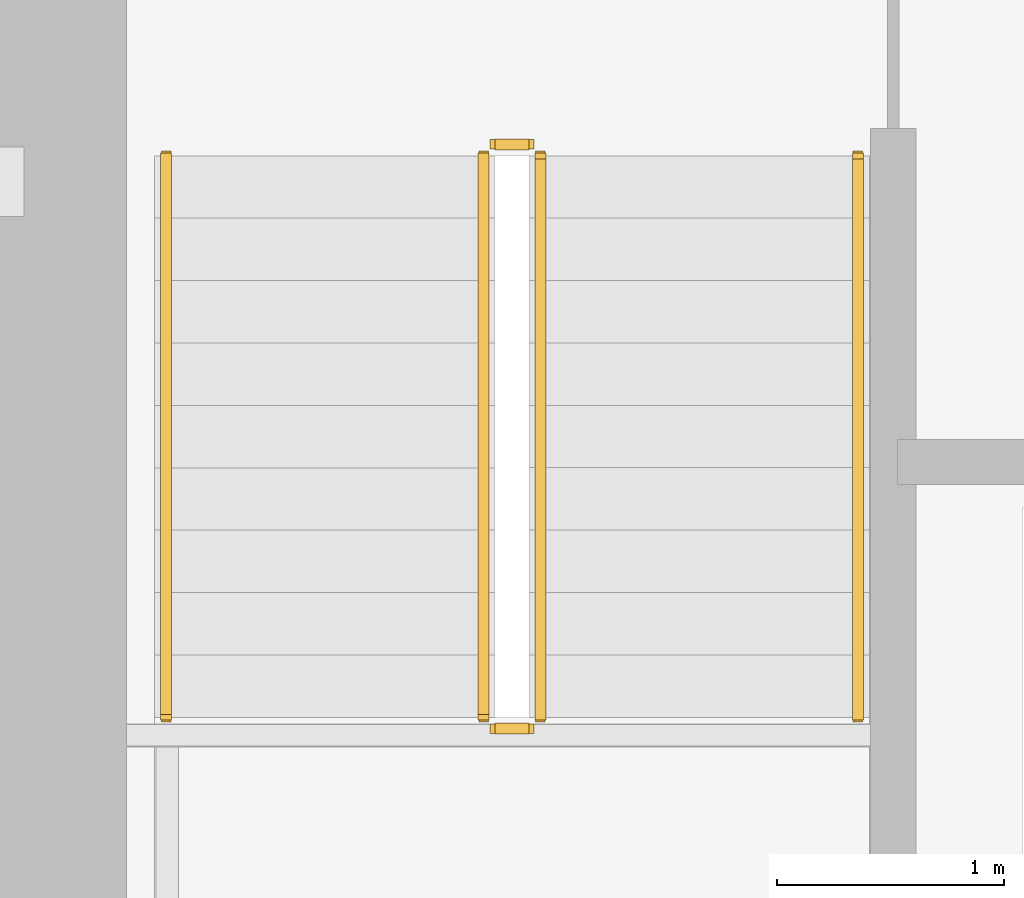
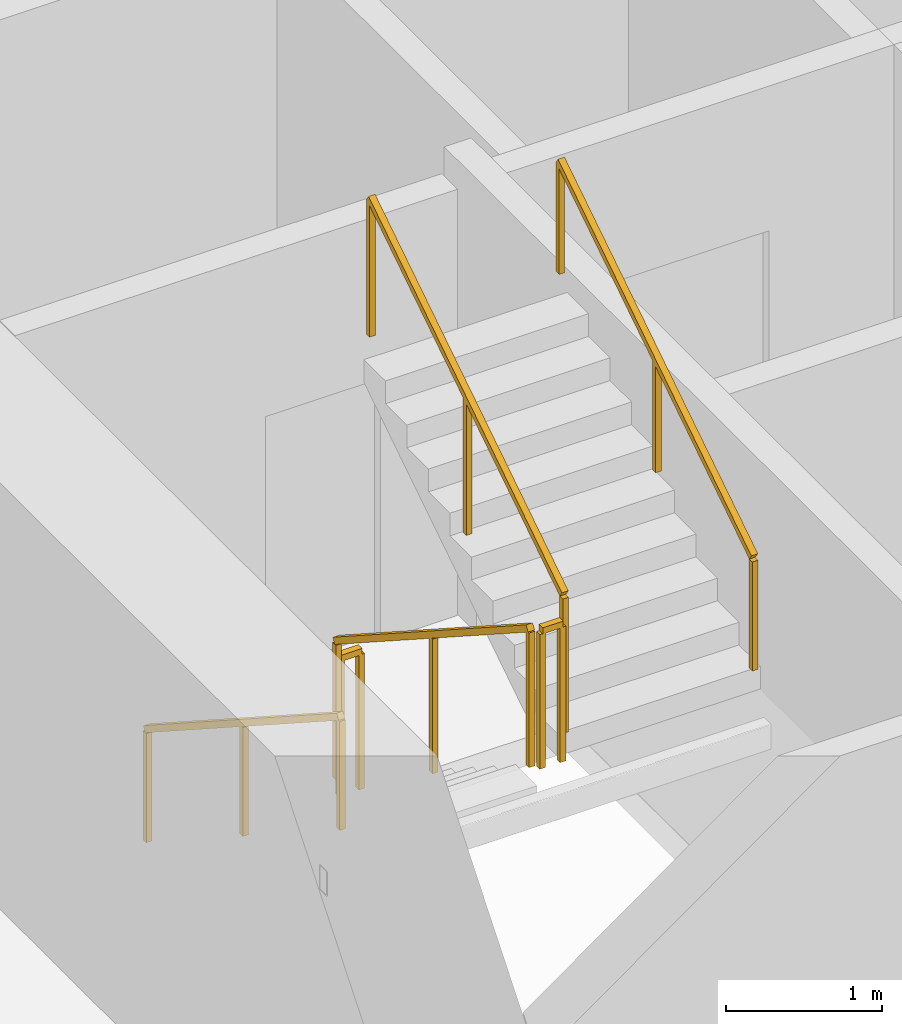
# One storey, part 12 of 14: 6 railings.
"""IFC4 building model written with IfcOpenShell, lengths in metres."""

from ifc_helpers import new_model, si_unit, direction, frame, origin, origin_2d, place, context, subcontext, project, spatial, rectangle, extrude, material, type_object, element, save


model = new_model("IFC4")

# Units and contexts
model_context = context("Model", 3, precision=1e-05, world=origin(), true_north=direction((0.0, 1.0)))
body_context = subcontext(model_context, "Body", "Model", "MODEL_VIEW")
ifc_project = project(units=[si_unit("LENGTHUNIT", "METRE"), si_unit("AREAUNIT", "SQUARE_METRE"), si_unit("VOLUMEUNIT", "CUBIC_METRE"), si_unit("PLANEANGLEUNIT", "RADIAN"), si_unit("MASSUNIT", "GRAM", prefix="KILO")], contexts=[model_context])

# Site, building, storey
site_placement = place(None, origin())
site = spatial("IfcSite", under=ifc_project, at=site_placement, CompositionType="ELEMENT")
building_placement = place(site_placement, origin())
building = spatial("IfcBuilding", under=site, at=building_placement, Name="Cinnabar Lancet Tower", CompositionType="ELEMENT")
storey_placement = place(building_placement, frame((0.0, 0.0, 67.5)))
storey = spatial("IfcBuildingStorey", under=building, at=storey_placement, Name="L17", CompositionType="ELEMENT", Elevation=67.5)

# Railings
ifc_material_1 = material(Name="Painted galvanized steel balustrade", Category="steel")
railing_type_1 = type_object("IfcRailingType", Name="GUARD-STAIR", PredefinedType="GUARDRAIL", material=ifc_material_1)
railing_1_placement = place(storey_placement, frame((24.97509765625, 28.39990234375, 0.177490234375)))
element("IfcRailing", 1, at=railing_1_placement, inside=storey, type_object=railing_type_1, Name="L17 ST-1 stair guard 1", PredefinedType="GUARDRAIL", context=body_context, shape_type="SweptSolid", body=[
    extrude(rectangle(XDim=0.048095703125, YDim=0.048095703125, at=origin_2d()), frame((0.0, 0.0, 1.076171875), z_axis=(0.0, -0.840183358697, 0.542302428327), x_axis=(1.0, 0.0, 0.0)), (0.0, 0.0, 1.0), 2.945556640625),
    extrude(rectangle(XDim=0.0419921875, YDim=0.0419921875, at=origin_2d()), origin(), (0.0, 0.0, 1.0), 1.052001953125),
    extrude(rectangle(XDim=0.0419921875, YDim=0.0419921875, at=origin_2d()), frame((0.0, -1.2373046875, 0.798828125)), (0.0, 0.0, 1.0), 1.052001953125),
    extrude(rectangle(XDim=0.0419921875, YDim=0.0419921875, at=origin_2d()), frame((0.0, -2.474853515625, 1.597412109375)), (0.0, 0.0, 1.0), 1.052001953125),
])
railing_2_placement = place(storey_placement, frame((25.02490234375, 25.875, 1.77490234375)))
element("IfcRailing", 2, at=railing_2_placement, inside=storey, type_object=railing_type_1, Name="L17 ST-1 stair guard 2", PredefinedType="GUARDRAIL", context=body_context, shape_type="SweptSolid", body=[
    extrude(rectangle(XDim=0.048095703125, YDim=0.048095703125, at=origin_2d()), frame((0.0, 0.0, 1.076171875), z_axis=(1.0, 0.0, 0.0), x_axis=(0.0, 1.0, 0.0)), (0.0, 0.0, 1.0), 0.150146484375),
    extrude(rectangle(XDim=0.0419921875, YDim=0.0419921875, at=origin_2d()), origin(), (0.0, 0.0, 1.0), 1.052001953125),
    extrude(rectangle(XDim=0.0419921875, YDim=0.0419921875, at=origin_2d()), frame((0.150146484375, 0.0, 0.0)), (0.0, 0.0, 1.0), 1.052001953125),
])
railing_3_placement = place(storey_placement, frame((25.22509765625, 25.925048828125, 1.952392578125)))
element("IfcRailing", 3, at=railing_3_placement, inside=storey, type_object=railing_type_1, Name="L17 ST-1 stair guard 3", PredefinedType="GUARDRAIL", context=body_context, shape_type="SweptSolid", body=[
    extrude(rectangle(XDim=0.048095703125, YDim=0.048095703125, at=origin_2d()), frame((0.0, 0.0, 1.076171875), z_axis=(0.0, 0.84014559416, 0.542360932049), x_axis=(-1.0, 0.0, 0.0)), (0.0, 0.0, 1.0), 2.94580078125),
    extrude(rectangle(XDim=0.0419921875, YDim=0.0419921875, at=origin_2d()), origin(), (0.0, 0.0, 1.0), 1.052001953125),
    extrude(rectangle(XDim=0.0419921875, YDim=0.0419921875, at=origin_2d()), frame((0.0, 1.2373046875, 0.798828125)), (0.0, 0.0, 1.0), 1.052001953125),
    extrude(rectangle(XDim=0.0419921875, YDim=0.0419921875, at=origin_2d()), frame((0.0, 2.474853515625, 1.59765625)), (0.0, 0.0, 1.0), 1.052001953125),
])
railing_4_placement = place(storey_placement, frame((25.02490234375, 28.449951171875, 0.0)))
element("IfcRailing", 4, at=railing_4_placement, inside=storey, type_object=railing_type_1, Name="L17 ST-1 stair guard 4", PredefinedType="GUARDRAIL", context=body_context, shape_type="SweptSolid", body=[
    extrude(rectangle(XDim=0.048095703125, YDim=0.048095703125, at=origin_2d()), frame((0.0, 0.0, 1.076171875), z_axis=(1.0, 0.0, 0.0), x_axis=(0.0, 1.0, 0.0)), (0.0, 0.0, 1.0), 0.150146484375),
    extrude(rectangle(XDim=0.0419921875, YDim=0.0419921875, at=origin_2d()), origin(), (0.0, 0.0, 1.0), 1.052001953125),
    extrude(rectangle(XDim=0.0419921875, YDim=0.0419921875, at=origin_2d()), frame((0.150146484375, 0.0, 0.0)), (0.0, 0.0, 1.0), 1.052001953125),
])
ifc_material_2 = material(Name="Brushed stainless steel handrail", Category="steel")
railing_type_2 = type_object("IfcRailingType", Name="HANDRAIL-STAIR", PredefinedType="HANDRAIL", material=ifc_material_2)
railing_5_placement = place(storey_placement, frame((23.574951171875, 28.39990234375, 0.177490234375)))
element("IfcRailing", 5, at=railing_5_placement, inside=storey, type_object=railing_type_2, Name="L17 ST-1 stair handrail 1", PredefinedType="HANDRAIL", context=body_context, shape_type="SweptSolid", body=[
    extrude(rectangle(XDim=0.048095703125, YDim=0.048095703125, at=origin_2d()), frame((0.0, 0.0, 0.8759765625), z_axis=(0.0, -0.840183358697, 0.542302428327), x_axis=(1.0, 0.0, 0.0)), (0.0, 0.0, 1.0), 2.945556640625),
    extrude(rectangle(XDim=0.0419921875, YDim=0.0419921875, at=origin_2d()), origin(), (0.0, 0.0, 1.0), 0.851806640625),
    extrude(rectangle(XDim=0.0419921875, YDim=0.0419921875, at=origin_2d()), frame((0.0, -1.2373046875, 0.798828125)), (0.0, 0.0, 1.0), 0.851806640625),
    extrude(rectangle(XDim=0.0419921875, YDim=0.0419921875, at=origin_2d()), frame((0.0, -2.474853515625, 1.597412109375)), (0.0, 0.0, 1.0), 0.851806640625),
])
railing_6_placement = place(storey_placement, frame((26.625, 25.925048828125, 1.952392578125)))
element("IfcRailing", 6, at=railing_6_placement, inside=storey, type_object=railing_type_2, Name="L17 ST-1 stair handrail 2", PredefinedType="HANDRAIL", context=body_context, shape_type="SweptSolid", body=[
    extrude(rectangle(XDim=0.048095703125, YDim=0.048095703125, at=origin_2d()), frame((0.0, 0.0, 0.8759765625), z_axis=(0.0, 0.84014559416, 0.542360932049), x_axis=(-1.0, 0.0, 0.0)), (0.0, 0.0, 1.0), 2.94580078125),
    extrude(rectangle(XDim=0.0419921875, YDim=0.0419921875, at=origin_2d()), origin(), (0.0, 0.0, 1.0), 0.851806640625),
    extrude(rectangle(XDim=0.0419921875, YDim=0.0419921875, at=origin_2d()), frame((0.0, 1.2373046875, 0.798828125)), (0.0, 0.0, 1.0), 0.851806640625),
    extrude(rectangle(XDim=0.0419921875, YDim=0.0419921875, at=origin_2d()), frame((0.0, 2.474853515625, 1.59765625)), (0.0, 0.0, 1.0), 0.851806640625),
])

save(model, "model.ifc")
